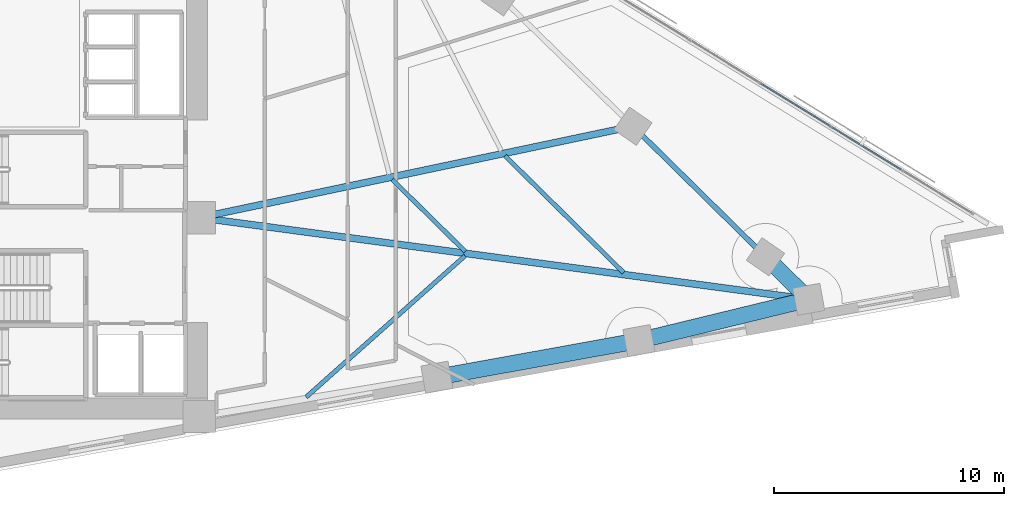
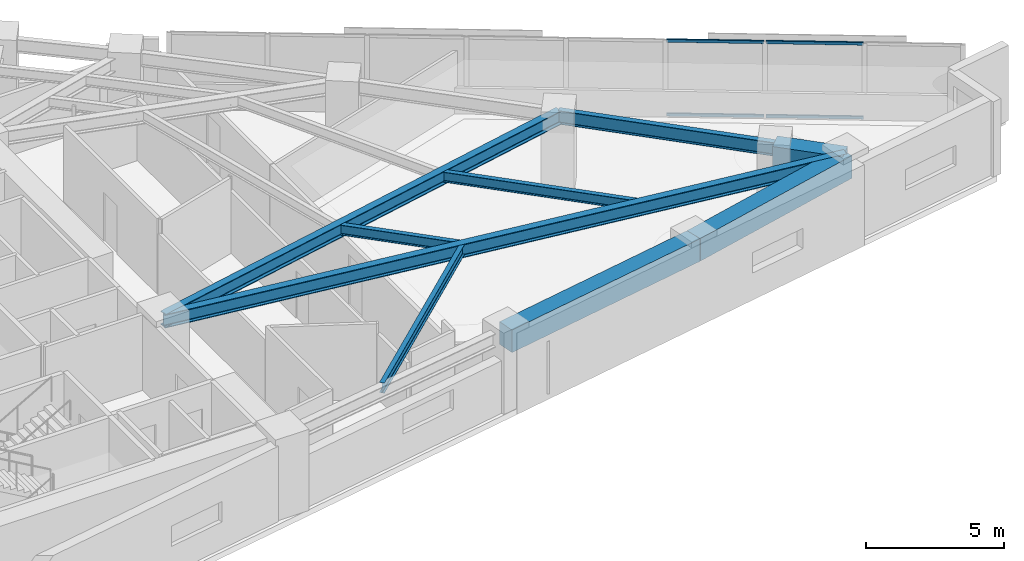
# One storey, part 3 of 19: 9 beams, 4 members, 1 element without a shape of its own.
"""IFC4 building model written with IfcOpenShell, lengths in metres."""

from ifc_helpers import new_model, si_unit, direction, frame, origin, origin_2d, place, context, subcontext, project, spatial, rectangle, hollow_rectangle, i_section, extrude, material, material_profile, profile_set, type_object, element, aggregate, save


model = new_model("IFC4")

# Units and contexts
model_context = context("Model", 3, precision=1e-05, world=origin(), true_north=direction((0.0, 1.0)))
body_context = subcontext(model_context, "Body", "Model", "MODEL_VIEW")
ifc_project = project(units=[si_unit("LENGTHUNIT", "METRE"), si_unit("AREAUNIT", "SQUARE_METRE"), si_unit("VOLUMEUNIT", "CUBIC_METRE"), si_unit("PLANEANGLEUNIT", "RADIAN"), si_unit("MASSUNIT", "GRAM", prefix="KILO")], contexts=[model_context])

# Site, building, storey
site_placement = place(None, origin())
site = spatial("IfcSite", under=ifc_project, at=site_placement, CompositionType="ELEMENT")
building_placement = place(site_placement, origin())
building = spatial("IfcBuilding", under=site, at=building_placement, Name="Narakoshi Arena Tower", CompositionType="ELEMENT")
storey_placement = place(building_placement, frame((0.0, 0.0, 117.300048828125)))
storey = spatial("IfcBuildingStorey", under=building, at=storey_placement, Name="L31", CompositionType="ELEMENT", Elevation=117.300048828125)

# Beams
ifc_material_1 = material(Name="Concrete C60/75", Category="concrete")
ifc_material_profile_1 = material_profile(ifc_material_1, rectangle(XDim=0.699951171875, YDim=1.0, at=origin_2d()), Name="RCB700x1000")
ifc_profile_set_1 = profile_set([ifc_material_profile_1], Name="Concrete C60/75")
beam_type_1 = type_object("IfcBeamType", Name="BM-CPL-1000", PredefinedType="BEAM", material=ifc_profile_set_1)
beam_1_placement = place(storey_placement, frame((95.89013671875, 36.411865234375, 2.83984375), z_axis=(0.984043032412, 0.177930633565, 0.0), x_axis=(-0.177930633565, 0.984043032412, 0.0)))
element("IfcBeam", 1, at=beam_1_placement, inside=storey, type_object=beam_type_1, Name="L31 Perimeter Edge Girder 01", PredefinedType="BEAM", context=body_context, shape_type="SweptSolid", body=[
    extrude(rectangle(XDim=0.699951171875, YDim=1.0, at=origin_2d()), origin(), (0.0, 0.0, 1.0), 8.933837890625),
])
beam_2_placement = place(storey_placement, frame((104.681396484375, 38.00146484375, 2.83984375), z_axis=(0.971695296423, 0.236237700019, 0.0), x_axis=(-0.236237700019, 0.971695296423, 0.0)))
element("IfcBeam", 2, at=beam_2_placement, inside=storey, type_object=beam_type_1, Name="L31 Perimeter Edge Girder 02", PredefinedType="BEAM", context=body_context, shape_type="SweptSolid", body=[
    extrude(rectangle(XDim=0.699951171875, YDim=1.0, at=origin_2d()), origin(), (0.0, 0.0, 1.0), 7.604248046875),
])
beam_3_placement = place(storey_placement, frame((112.0703125, 39.7978515625, 2.83984375), z_axis=(-0.712541924106, 0.70162953643, 0.0), x_axis=(-0.70162953643, -0.712541924106, 0.0)))
element("IfcBeam", 3, at=beam_3_placement, inside=storey, type_object=beam_type_1, Name="L31 Perimeter Edge Girder 03", PredefinedType="BEAM", context=body_context, shape_type="SweptSolid", body=[
    extrude(rectangle(XDim=0.699951171875, YDim=1.0, at=origin_2d()), origin(), (0.0, 0.0, 1.0), 2.639892578125),
])
ifc_material_2 = material(Name="Structural steel S355J2", Category="steel")
ifc_material_profile_2 = material_profile(ifc_material_2, i_section(OverallWidth=0.219970703125, OverallDepth=0.60009765625, WebThickness=0.011962890625, FlangeThickness=0.01904296875, FilletRadius=0.02392578125, at=origin_2d()), Name="IPE600")
ifc_profile_set_2 = profile_set([ifc_material_profile_2], Name="Structural steel S355J2")
beam_type_2 = type_object("IfcBeamType", Name="BM-EDGE-600", PredefinedType="BEAM", material=ifc_profile_set_2)
beam_4_placement = place(storey_placement, frame((110.189208984375, 41.650146484375, 3.0400390625), z_axis=(-0.712543857268, 0.701627573196, 0.0), x_axis=(-0.701627573196, -0.712543857268, 0.0)))
element("IfcBeam", 4, at=beam_4_placement, inside=storey, type_object=beam_type_2, Name="L31 Perimeter Edge Girder 04", PredefinedType="BEAM", context=body_context, shape_type="SweptSolid", body=[
    extrude(i_section(OverallWidth=0.219970703125, OverallDepth=0.60009765625, WebThickness=0.011962890625, FlangeThickness=0.01904296875, FilletRadius=0.02392578125, at=origin_2d()), origin(), (0.0, 0.0, 1.0), 8.095947265625),
])
ifc_material_profile_3 = material_profile(ifc_material_2, i_section(OverallWidth=0.300048828125, OverallDepth=0.60009765625, WebThickness=0.015380859375, FlangeThickness=0.030029296875, FilletRadius=0.027099609375, at=origin_2d()), Name="HE600B")
ifc_profile_set_3 = profile_set([ifc_material_profile_3], Name="Structural steel S355J2")
beam_type_3 = type_object("IfcBeamType", Name="BM-PRI-600", PredefinedType="BEAM", material=ifc_profile_set_3)
beam_5_placement = place(storey_placement, frame((85.550048828125, 43.35009765625, 3.0400390625), z_axis=(0.991148352242, -0.132758968996, 0.0), x_axis=(0.132758968996, 0.991148352242, 0.0)))
element("IfcBeam", 5, at=beam_5_placement, inside=storey, type_object=beam_type_3, Name="L31 Radial Primary Floor Girder 03", PredefinedType="BEAM", context=body_context, shape_type="SweptSolid", body=[
    extrude(i_section(OverallWidth=0.300048828125, OverallDepth=0.60009765625, WebThickness=0.015380859375, FlangeThickness=0.030029296875, FilletRadius=0.027099609375, at=origin_2d()), origin(), (0.0, 0.0, 1.0), 26.757080078125),
])
beam_6_placement = place(storey_placement, frame((85.550048828125, 43.35009765625, 3.0400390625), z_axis=(0.978468582694, 0.206395815562, 0.0), x_axis=(-0.206395815562, 0.978468582694, 0.0)))
element("IfcBeam", 6, at=beam_6_placement, inside=storey, type_object=beam_type_3, Name="L31 Radial Primary Floor Girder 05", PredefinedType="BEAM", context=body_context, shape_type="SweptSolid", body=[
    extrude(i_section(OverallWidth=0.300048828125, OverallDepth=0.60009765625, WebThickness=0.015380859375, FlangeThickness=0.030029296875, FilletRadius=0.027099609375, at=origin_2d()), origin(), (0.0, 0.0, 1.0), 19.28564453125),
])
ifc_material_profile_4 = material_profile(ifc_material_2, i_section(OverallWidth=0.18994140625, OverallDepth=0.449951171875, WebThickness=0.009521484375, FlangeThickness=0.0146484375, FilletRadius=0.02099609375, at=origin_2d()), Name="IPE450")
ifc_profile_set_4 = profile_set([ifc_material_profile_4], Name="Structural steel S355J2")
beam_type_4 = type_object("IfcBeamType", Name="BM-SEC-450", PredefinedType="JOIST", material=ifc_profile_set_4)
beam_7_placement = place(storey_placement, frame((90.200439453125, 35.54296875, 3.114990234375), z_axis=(0.747129936422, 0.664678010846, 0.0), x_axis=(-0.664678010846, 0.747129936422, 0.0)))
element("IfcBeam", 7, at=beam_7_placement, inside=storey, type_object=beam_type_4, Name="L31 Composite Secondary Floor Joist 01", PredefinedType="JOIST", context=body_context, shape_type="SweptSolid", body=[
    extrude(i_section(OverallWidth=0.18994140625, OverallDepth=0.449951171875, WebThickness=0.009521484375, FlangeThickness=0.0146484375, FilletRadius=0.02099609375, at=origin_2d()), origin(), (0.0, 0.0, 1.0), 9.259033203125),
])
beam_8_placement = place(storey_placement, frame((97.122802734375, 41.8818359375, 3.114990234375), z_axis=(-0.712567241067, 0.701603824788, 0.0), x_axis=(-0.701603824788, -0.712567241067, 0.0)))
element("IfcBeam", 8, at=beam_8_placement, inside=storey, type_object=beam_type_4, Name="L31 Composite Secondary Floor Joist 02", PredefinedType="JOIST", context=body_context, shape_type="SweptSolid", body=[
    extrude(i_section(OverallWidth=0.18994140625, OverallDepth=0.449951171875, WebThickness=0.009521484375, FlangeThickness=0.0146484375, FilletRadius=0.02099609375, at=origin_2d()), origin(), (0.0, 0.0, 1.0), 4.45361328125),
])
beam_9_placement = place(storey_placement, frame((104.01806640625, 40.958251953125, 3.114990234375), z_axis=(-0.712561376684, 0.70160978076, 0.0), x_axis=(-0.70160978076, -0.712561376684, 0.0)))
element("IfcBeam", 9, at=beam_9_placement, inside=storey, type_object=beam_type_4, Name="L31 Composite Secondary Floor Joist 03", PredefinedType="JOIST", context=body_context, shape_type="SweptSolid", body=[
    extrude(i_section(OverallWidth=0.18994140625, OverallDepth=0.449951171875, WebThickness=0.009521484375, FlangeThickness=0.0146484375, FilletRadius=0.02099609375, at=origin_2d()), origin(), (0.0, 0.0, 1.0), 7.2451171875),
])

# Curtain wall, members
ifc_material_3 = material(Name="Anodised bronze aluminium 6063-T6", Category="aluminium")
curtain_wall_type = type_object("IfcCurtainWallType", Name="CW-HYP-LOW", PredefinedType="NOTDEFINED", material=ifc_material_3)
curtain_wall_placement = place(storey_placement, origin())
curtain_wall = element("IfcCurtainWall", 10, at=curtain_wall_placement, inside=storey, type_object=curtain_wall_type, Name="L31 Folded Hypotenuse Curtain Wall 1-1", PredefinedType="NOTDEFINED")
ifc_material_profile_5 = material_profile(ifc_material_3, hollow_rectangle(XDim=0.06494140625, YDim=0.1298828125, WallThickness=0.00390625, OuterFilletRadius=0.0048828125, at=origin_2d()), Name="TRN130x65x4")
ifc_profile_set_5 = profile_set([ifc_material_profile_5], Name="Anodised bronze aluminium 6063-T6")
member_type = type_object("IfcMemberType", Name="MEM-TRN-130", PredefinedType="USERDEFINED", material=ifc_profile_set_5)
member_1_placement = place(storey_placement, frame((116.085693359375, 45.4384765625, 0.032470703125), z_axis=(-0.852103699909, 0.523372988032, 0.0), x_axis=(-0.523372988032, -0.852103699909, 0.0)))
member_1 = element("IfcMember", 11, at=member_1_placement, type_object=member_type, Name="CW-01 transom 2.1", ObjectType="TRANSOM", PredefinedType="USERDEFINED", context=body_context, shape_type="SweptSolid", body=[
    extrude(hollow_rectangle(XDim=0.06494140625, YDim=0.1298828125, WallThickness=0.00390625, OuterFilletRadius=0.0048828125, at=origin_2d()), origin(), (0.0, 0.0, 1.0), 3.535888671875),
])
member_2_placement = place(storey_placement, frame((116.085693359375, 45.4384765625, 3.307373046875), z_axis=(-0.852103699909, 0.523372988032, 0.0), x_axis=(-0.523372988032, -0.852103699909, 0.0)))
member_2 = element("IfcMember", 12, at=member_2_placement, type_object=member_type, Name="CW-01 transom 2.2", ObjectType="TRANSOM", PredefinedType="USERDEFINED", context=body_context, shape_type="SweptSolid", body=[
    extrude(hollow_rectangle(XDim=0.06494140625, YDim=0.1298828125, WallThickness=0.00390625, OuterFilletRadius=0.0048828125, at=origin_2d()), origin(), (0.0, 0.0, 1.0), 3.535888671875),
])
member_3_placement = place(storey_placement, frame((113.0087890625, 47.328125, 0.032470703125), z_axis=(-0.852103699909, 0.523372988032, 0.0), x_axis=(-0.523372988032, -0.852103699909, 0.0)))
member_3 = element("IfcMember", 13, at=member_3_placement, type_object=member_type, Name="CW-01 transom 3.1", ObjectType="TRANSOM", PredefinedType="USERDEFINED", context=body_context, shape_type="SweptSolid", body=[
    extrude(hollow_rectangle(XDim=0.06494140625, YDim=0.1298828125, WallThickness=0.00390625, OuterFilletRadius=0.0048828125, at=origin_2d()), origin(), (0.0, 0.0, 1.0), 3.535888671875),
])
member_4_placement = place(storey_placement, frame((113.0087890625, 47.328125, 3.307373046875), z_axis=(-0.852103699909, 0.523372988032, 0.0), x_axis=(-0.523372988032, -0.852103699909, 0.0)))
member_4 = element("IfcMember", 14, at=member_4_placement, type_object=member_type, Name="CW-01 transom 3.2", ObjectType="TRANSOM", PredefinedType="USERDEFINED", context=body_context, shape_type="SweptSolid", body=[
    extrude(hollow_rectangle(XDim=0.06494140625, YDim=0.1298828125, WallThickness=0.00390625, OuterFilletRadius=0.0048828125, at=origin_2d()), origin(), (0.0, 0.0, 1.0), 3.535888671875),
])
aggregate(curtain_wall, [member_1, member_2, member_3, member_4])

save(model, "model.ifc")
